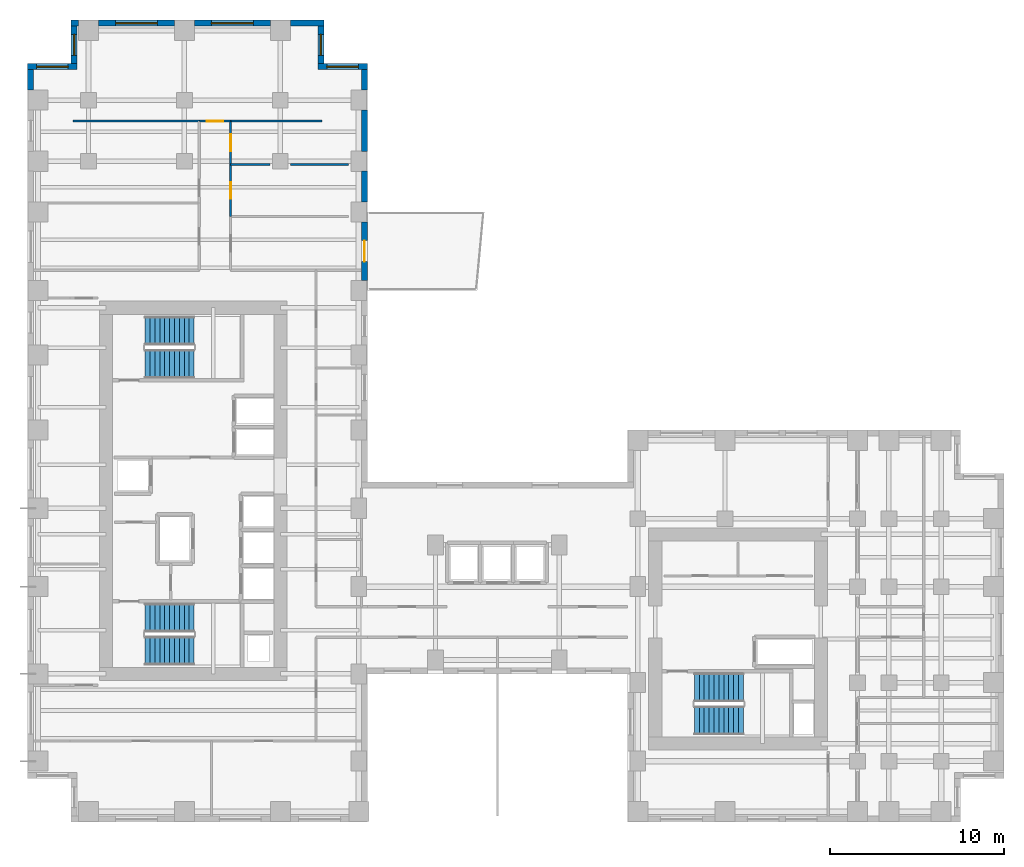
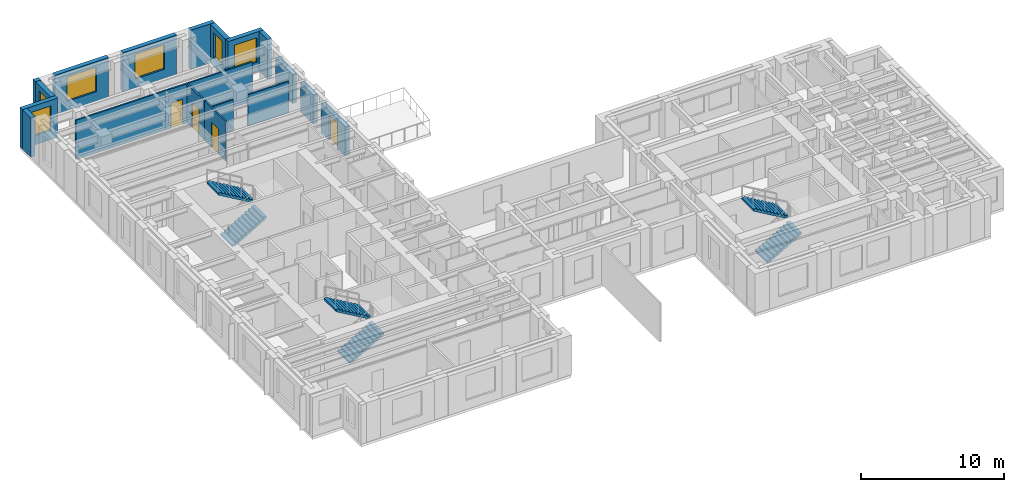
# One storey, part 9 of 11: 20 walls, 6 stair flights, 6 windows, 4 doors, 10 openings, 3 elements without a shape of their own.
"""IFC4 building model written with IfcOpenShell, lengths in metres."""

from ifc_helpers import new_model, si_unit, direction, frame, frame_2d, origin, place, context, subcontext, project, spatial, polyline, rectangle, outline, extrude, source, transform, mapped, material, layer, layer_set, type_object, element, fill, aggregate, save


model = new_model("IFC4")

# Units and contexts
model_context = context("Model", 3, precision=1e-05, world=origin(), true_north=direction((0.0, 1.0)))
body_context = subcontext(model_context, "Body", "Model", "MODEL_VIEW")
ifc_project = project(units=[si_unit("LENGTHUNIT", "METRE"), si_unit("AREAUNIT", "SQUARE_METRE"), si_unit("VOLUMEUNIT", "CUBIC_METRE"), si_unit("PLANEANGLEUNIT", "RADIAN"), si_unit("MASSUNIT", "GRAM", prefix="KILO")], contexts=[model_context])

# Site, building, storey
site_placement = place(None, origin())
site = spatial("IfcSite", under=ifc_project, at=site_placement, CompositionType="ELEMENT")
building_placement = place(site_placement, origin())
building = spatial("IfcBuilding", under=site, at=building_placement, Name="Kharzan Plaza Tower", CompositionType="ELEMENT")
storey_placement = place(building_placement, frame((0.0, 0.0, 127.800048828125)))
storey = spatial("IfcBuildingStorey", under=building, at=storey_placement, Name="L34", CompositionType="ELEMENT", Elevation=127.800048828125)

# Wall, opening, door
ifc_material_1 = material(Name="Concrete C40/50", Category="concrete")
ifc_layer_1 = layer(ifc_material_1, 0.35009765625)
ifc_layer_set_1 = layer_set([ifc_layer_1], Name="Concrete C40/50")
wall_type_1 = type_object("IfcWallType", Name="WL-EXT-MAS-Z2", PredefinedType="SOLIDWALL", material=ifc_layer_set_1)
wall_1_placement = place(storey_placement, frame((19.324951171875, 31.072998046875, 0.0), z_axis=(0.0, 0.0, 1.0), x_axis=(0.0, 1.0, 0.0)))
wall_1 = element("IfcWall", 1, at=wall_1_placement, inside=storey, type_object=wall_type_1, Name="L34 Masonry-Frame Exterior Wall 04", PredefinedType="SOLIDWALL", context=body_context, shape_type="SweptSolid", body=[
    extrude(rectangle(XDim=3.35400390625, YDim=0.35009765625, at=frame_2d((1.677001953125, 0.0))), origin(), (0.0, 0.0, 1.0), 2.51904296875),
])
opening_1_placement = place(wall_1_placement, frame((1.076904296875, 0.0, 0.0)))
opening_1 = element("IfcOpeningElement", 2, at=opening_1_placement, cuts=wall_1, Name="Opening ED3", PredefinedType="OPENING", context=body_context, shape_type="SweptSolid", body=[
    extrude(rectangle(XDim=1.199951171875, YDim=2.14990234375, at=frame_2d((0.60009765625, 1.074951171875))), frame((0.0, 0.18505859375, 0.0), z_axis=(0.0, -1.0, 0.0), x_axis=(1.0, 0.0, 0.0)), (0.0, 0.0, 1.0), 0.3701171875),
])
ifc_material_2 = material(Name="Thermally Broken Anodized Bronze Aluminium", Category="aluminium")
door_type_1 = type_object("IfcDoorType", Name="DR-EXT-TRAY-1200", OperationType="SINGLE_SWING_LEFT", PredefinedType="DOOR", material=ifc_material_2)
shared_shape_1 = source(origin(), body_context, "Body", "SweptSolid", [
    extrude(rectangle(XDim=1.199951171875, YDim=2.14990234375, at=frame_2d((0.60009765625, 1.074951171875))), frame((0.0, 0.02490234375, 0.0), z_axis=(0.0, -1.0, 0.0), x_axis=(1.0, 0.0, 0.0)), (0.0, 0.0, 1.0), 0.050048828125),
])
door_1_placement = place(opening_1_placement, frame((1.199951171875, 0.0, 0.0), z_axis=(0.0, 0.0, 1.0), x_axis=(-1.0, 0.0, 0.0)))
door_1 = element("IfcDoor", 3, at=door_1_placement, inside=storey, type_object=door_type_1, Name="L34 Cantilevered Sky-Terrace Tray Access Door", OperationType="SINGLE_SWING_LEFT", OverallHeight=2.14990234375, OverallWidth=1.199951171875, PredefinedType="DOOR", context=body_context, shape_type="MappedRepresentation", body=[
    mapped(shared_shape_1, transform((0.0, 0.0, 0.0), x_axis=(1.0, 0.0, 0.0), y_axis=(0.0, 1.0, 0.0), z_axis=(0.0, 0.0, 1.0))),
])
fill(opening_1, door_1)

# Wall, opening, window
wall_2_placement = place(storey_placement, frame((19.5, 43.324951171875, 0.0), z_axis=(0.0, 0.0, 1.0), x_axis=(-1.0, 0.0, 0.0)))
wall_2 = element("IfcWall", 4, at=wall_2_placement, inside=storey, type_object=wall_type_1, Name="L34 Masonry-Frame Exterior Wall 08", PredefinedType="SOLIDWALL", context=body_context, shape_type="SweptSolid", body=[
    extrude(rectangle(XDim=2.85009765625, YDim=0.35009765625, at=frame_2d((1.425048828125, 0.0))), origin(), (0.0, 0.0, 1.0), 3.364990234375),
])
opening_2_placement = place(wall_2_placement, frame((0.52490234375, 0.0, 0.780029296875)))
opening_2 = element("IfcOpeningElement", 5, at=opening_2_placement, cuts=wall_2, Name="Opening W1", PredefinedType="OPENING", context=body_context, shape_type="SweptSolid", body=[
    extrude(rectangle(XDim=1.800048828125, YDim=2.10009765625, at=frame_2d((0.89990234375, 1.050048828125))), frame((0.0, 0.18505859375, 0.0), z_axis=(0.0, -1.0, 0.0), x_axis=(1.0, 0.0, 0.0)), (0.0, 0.0, 1.0), 0.3701171875),
])
ifc_material_3 = material(Name="Low-E Double Glazing", Category="glass")
window_type_1 = type_object("IfcWindowType", Name="WN-REC-1800x2100", PartitioningType="SINGLE_PANEL", PredefinedType="WINDOW", material=ifc_material_3)
shared_shape_2 = source(origin(), body_context, "Body", "SweptSolid", [
    extrude(rectangle(XDim=1.800048828125, YDim=2.10009765625, at=frame_2d((0.89990234375, 1.050048828125))), frame((0.0, 0.030029296875, 0.0), z_axis=(0.0, -1.0, 0.0), x_axis=(1.0, 0.0, 0.0)), (0.0, 0.0, 1.0), 0.06005859375),
])
window_1_placement = place(opening_2_placement, origin())
window_1 = element("IfcWindow", 6, at=window_1_placement, inside=storey, type_object=window_type_1, Name="L34 Recessed Solar-Control Window 08-1", OverallHeight=2.10009765625, OverallWidth=1.800048828125, PartitioningType="SINGLE_PANEL", PredefinedType="WINDOW", context=body_context, shape_type="MappedRepresentation", body=[
    mapped(shared_shape_2, transform((0.0, 0.0, 0.0), x_axis=(1.0, 0.0, 0.0), y_axis=(0.0, 1.0, 0.0), z_axis=(0.0, 0.0, 1.0))),
])
fill(opening_2, window_1)

wall_3_placement = place(storey_placement, frame((16.824951171875, 43.498046875, 0.0), z_axis=(0.0, 0.0, 1.0), x_axis=(0.0, 1.0, 0.0)))
wall_3 = element("IfcWall", 7, at=wall_3_placement, inside=storey, type_object=wall_type_1, Name="L34 Masonry-Frame Exterior Wall 09", PredefinedType="SOLIDWALL", context=body_context, shape_type="SweptSolid", body=[
    extrude(rectangle(XDim=2.154052734375, YDim=0.35009765625, at=frame_2d((1.0771484375, 0.0))), origin(), (0.0, 0.0, 1.0), 3.364990234375),
])
opening_3_placement = place(wall_3_placement, frame((0.47705078125, 0.0, 0.780029296875)))
opening_3 = element("IfcOpeningElement", 8, at=opening_3_placement, cuts=wall_3, Name="Opening W3", PredefinedType="OPENING", context=body_context, shape_type="SweptSolid", body=[
    extrude(rectangle(XDim=1.199951171875, YDim=2.10009765625, at=frame_2d((0.60009765625, 1.050048828125))), frame((0.0, 0.18505859375, 0.0), z_axis=(0.0, -1.0, 0.0), x_axis=(1.0, 0.0, 0.0)), (0.0, 0.0, 1.0), 0.3701171875),
])
window_type_2 = type_object("IfcWindowType", Name="WN-REC-1200x2100", PartitioningType="SINGLE_PANEL", PredefinedType="WINDOW", material=ifc_material_3)
shared_shape_3 = source(origin(), body_context, "Body", "SweptSolid", [
    extrude(rectangle(XDim=1.199951171875, YDim=2.10009765625, at=frame_2d((0.60009765625, 1.050048828125))), frame((0.0, 0.030029296875, 0.0), z_axis=(0.0, -1.0, 0.0), x_axis=(1.0, 0.0, 0.0)), (0.0, 0.0, 1.0), 0.06005859375),
])
window_2_placement = place(opening_3_placement, origin())
window_2 = element("IfcWindow", 9, at=window_2_placement, inside=storey, type_object=window_type_2, Name="L34 Recessed Solar-Control Window 09-1", OverallHeight=2.10009765625, OverallWidth=1.199951171875, PartitioningType="SINGLE_PANEL", PredefinedType="WINDOW", context=body_context, shape_type="MappedRepresentation", body=[
    mapped(shared_shape_3, transform((0.0, 0.0, 0.0), x_axis=(1.0, 0.0, 0.0), y_axis=(0.0, 1.0, 0.0), z_axis=(0.0, 0.0, 1.0))),
])
fill(opening_3, window_2)

wall_4_placement = place(storey_placement, frame((13.927001953125, 45.824951171875, 0.0), z_axis=(0.0, 0.0, 1.0), x_axis=(-1.0, 0.0, 0.0)))
wall_4 = element("IfcWall", 10, at=wall_4_placement, inside=storey, type_object=wall_type_1, Name="L34 Masonry-Frame Exterior Wall 11", PredefinedType="SOLIDWALL", context=body_context, shape_type="SweptSolid", body=[
    extrude(rectangle(XDim=4.35400390625, YDim=0.35009765625, at=frame_2d((2.177001953125, 0.0))), origin(), (0.0, 0.0, 1.0), 3.364990234375),
])
opening_4_placement = place(wall_4_placement, frame((0.97705078125, 0.0, 0.780029296875)))
opening_4 = element("IfcOpeningElement", 11, at=opening_4_placement, cuts=wall_4, Name="Opening W2", PredefinedType="OPENING", context=body_context, shape_type="SweptSolid", body=[
    extrude(rectangle(XDim=2.39990234375, YDim=2.10009765625, at=frame_2d((1.199951171875, 1.050048828125))), frame((0.0, 0.18505859375, 0.0), z_axis=(0.0, -1.0, 0.0), x_axis=(1.0, 0.0, 0.0)), (0.0, 0.0, 1.0), 0.3701171875),
])
window_type_3 = type_object("IfcWindowType", Name="WN-REC-2400x2100", PartitioningType="SINGLE_PANEL", PredefinedType="WINDOW", material=ifc_material_3)
shared_shape_4 = source(origin(), body_context, "Body", "SweptSolid", [
    extrude(rectangle(XDim=2.39990234375, YDim=2.10009765625, at=frame_2d((1.199951171875, 1.050048828125))), frame((0.0, 0.030029296875, 0.0), z_axis=(0.0, -1.0, 0.0), x_axis=(1.0, 0.0, 0.0)), (0.0, 0.0, 1.0), 0.06005859375),
])
window_3_placement = place(opening_4_placement, origin())
window_3 = element("IfcWindow", 12, at=window_3_placement, inside=storey, type_object=window_type_3, Name="L34 Wide Recessed Solar-Control Window 11-1", OverallHeight=2.10009765625, OverallWidth=2.39990234375, PartitioningType="SINGLE_PANEL", PredefinedType="WINDOW", context=body_context, shape_type="MappedRepresentation", body=[
    mapped(shared_shape_4, transform((0.0, 0.0, 0.0), x_axis=(1.0, 0.0, 0.0), y_axis=(0.0, 1.0, 0.0), z_axis=(0.0, 0.0, 1.0))),
])
fill(opening_4, window_3)

wall_5_placement = place(storey_placement, frame((8.427001953125, 45.824951171875, 0.0), z_axis=(0.0, 0.0, 1.0), x_axis=(-1.0, 0.0, 0.0)))
wall_5 = element("IfcWall", 13, at=wall_5_placement, inside=storey, type_object=wall_type_1, Name="L34 Masonry-Frame Exterior Wall 12", PredefinedType="SOLIDWALL", context=body_context, shape_type="SweptSolid", body=[
    extrude(rectangle(XDim=4.35400390625, YDim=0.35009765625, at=frame_2d((2.177001953125, 0.0))), origin(), (0.0, 0.0, 1.0), 3.364990234375),
])
opening_5_placement = place(wall_5_placement, frame((0.97705078125, 0.0, 0.780029296875)))
opening_5 = element("IfcOpeningElement", 14, at=opening_5_placement, cuts=wall_5, Name="Opening W2", PredefinedType="OPENING", context=body_context, shape_type="SweptSolid", body=[
    extrude(rectangle(XDim=2.39990234375, YDim=2.10009765625, at=frame_2d((1.199951171875, 1.050048828125))), frame((0.0, 0.18505859375, 0.0), z_axis=(0.0, -1.0, 0.0), x_axis=(1.0, 0.0, 0.0)), (0.0, 0.0, 1.0), 0.3701171875),
])
window_4_placement = place(opening_5_placement, origin())
window_4 = element("IfcWindow", 15, at=window_4_placement, inside=storey, type_object=window_type_3, Name="L34 Wide Recessed Solar-Control Window 12-1", OverallHeight=2.10009765625, OverallWidth=2.39990234375, PartitioningType="SINGLE_PANEL", PredefinedType="WINDOW", context=body_context, shape_type="MappedRepresentation", body=[
    mapped(shared_shape_4, transform((0.0, 0.0, 0.0), x_axis=(1.0, 0.0, 0.0), y_axis=(0.0, 1.0, 0.0), z_axis=(0.0, 0.0, 1.0))),
])
fill(opening_5, window_4)

wall_6_placement = place(storey_placement, frame((2.675048828125, 45.652099609375, 0.0), z_axis=(0.0, 0.0, 1.0), x_axis=(0.0, -1.0, 0.0)))
wall_6 = element("IfcWall", 16, at=wall_6_placement, inside=storey, type_object=wall_type_1, Name="L34 Masonry-Frame Exterior Wall 14", PredefinedType="SOLIDWALL", context=body_context, shape_type="SweptSolid", body=[
    extrude(rectangle(XDim=2.154052734375, YDim=0.35009765625, at=frame_2d((1.0771484375, 0.0))), origin(), (0.0, 0.0, 1.0), 3.364990234375),
])
opening_6_placement = place(wall_6_placement, frame((0.47705078125, 0.0, 0.780029296875)))
opening_6 = element("IfcOpeningElement", 17, at=opening_6_placement, cuts=wall_6, Name="Opening W3", PredefinedType="OPENING", context=body_context, shape_type="SweptSolid", body=[
    extrude(rectangle(XDim=1.199951171875, YDim=2.10009765625, at=frame_2d((0.60009765625, 1.050048828125))), frame((0.0, 0.18505859375, 0.0), z_axis=(0.0, -1.0, 0.0), x_axis=(1.0, 0.0, 0.0)), (0.0, 0.0, 1.0), 0.3701171875),
])
window_5_placement = place(opening_6_placement, origin())
window_5 = element("IfcWindow", 18, at=window_5_placement, inside=storey, type_object=window_type_2, Name="L34 Recessed Solar-Control Window 14-1", OverallHeight=2.10009765625, OverallWidth=1.199951171875, PartitioningType="SINGLE_PANEL", PredefinedType="WINDOW", context=body_context, shape_type="MappedRepresentation", body=[
    mapped(shared_shape_3, transform((0.0, 0.0, 0.0), x_axis=(1.0, 0.0, 0.0), y_axis=(0.0, 1.0, 0.0), z_axis=(0.0, 0.0, 1.0))),
])
fill(opening_6, window_5)

wall_7_placement = place(storey_placement, frame((2.85009765625, 43.324951171875, 0.0), z_axis=(0.0, 0.0, 1.0), x_axis=(-1.0, 0.0, 0.0)))
wall_7 = element("IfcWall", 19, at=wall_7_placement, inside=storey, type_object=wall_type_1, Name="L34 Masonry-Frame Exterior Wall 15", PredefinedType="SOLIDWALL", context=body_context, shape_type="SweptSolid", body=[
    extrude(rectangle(XDim=2.85009765625, YDim=0.35009765625, at=frame_2d((1.425048828125, 0.0))), origin(), (0.0, 0.0, 1.0), 3.364990234375),
])
opening_7_placement = place(wall_7_placement, frame((0.52490234375, 0.0, 0.780029296875)))
opening_7 = element("IfcOpeningElement", 20, at=opening_7_placement, cuts=wall_7, Name="Opening W1", PredefinedType="OPENING", context=body_context, shape_type="SweptSolid", body=[
    extrude(rectangle(XDim=1.800048828125, YDim=2.10009765625, at=frame_2d((0.89990234375, 1.050048828125))), frame((0.0, 0.18505859375, 0.0), z_axis=(0.0, -1.0, 0.0), x_axis=(1.0, 0.0, 0.0)), (0.0, 0.0, 1.0), 0.3701171875),
])
window_6_placement = place(opening_7_placement, origin())
window_6 = element("IfcWindow", 21, at=window_6_placement, inside=storey, type_object=window_type_1, Name="L34 Recessed Solar-Control Window 15-1", OverallHeight=2.10009765625, OverallWidth=1.800048828125, PartitioningType="SINGLE_PANEL", PredefinedType="WINDOW", context=body_context, shape_type="MappedRepresentation", body=[
    mapped(shared_shape_2, transform((0.0, 0.0, 0.0), x_axis=(1.0, 0.0, 0.0), y_axis=(0.0, 1.0, 0.0), z_axis=(0.0, 0.0, 1.0))),
])
fill(opening_7, window_6)

# Wall, opening, door
ifc_material_4 = material(Name="Fire-Rated Gypsum Board Partition", Category="gypsum")
ifc_layer_2 = layer(ifc_material_4, 0.125)
ifc_layer_set_2 = layer_set([ifc_layer_2], Name="Fire-Rated Gypsum Board Partition")
wall_type_2 = type_object("IfcWallType", Name="WL-INT-PART-125", PredefinedType="PARTITIONING", material=ifc_layer_set_2)
wall_8_placement = place(storey_placement, frame((11.64990234375, 34.72802734375, 0.0), z_axis=(0.0, 0.0, 1.0), x_axis=(0.0, 1.0, 0.0)))
wall_8 = element("IfcWall", 22, at=wall_8_placement, inside=storey, type_object=wall_type_2, Name="L34 Interior Partition SH-SPE-2", PredefinedType="PARTITIONING", context=body_context, shape_type="SweptSolid", body=[
    extrude(rectangle(XDim=2.992919921875, YDim=0.125, at=frame_2d((1.49658203125, 0.0))), origin(), (0.0, 0.0, 1.0), 3.364990234375),
])
opening_8_placement = place(wall_8_placement, frame((1.021484375, 0.0, 0.0)))
opening_8 = element("IfcOpeningElement", 23, at=opening_8_placement, cuts=wall_8, Name="Opening OD1", PredefinedType="OPENING", context=body_context, shape_type="SweptSolid", body=[
    extrude(rectangle(XDim=0.949951171875, YDim=2.14990234375, at=frame_2d((0.47509765625, 1.074951171875))), frame((0.0, 0.072509765625, 0.0), z_axis=(0.0, -1.0, 0.0), x_axis=(1.0, 0.0, 0.0)), (0.0, 0.0, 1.0), 0.14501953125),
])
ifc_material_5 = material(Name="Acoustic Solid-Core Stained Oak", Category="timber")
door_type_2 = type_object("IfcDoorType", Name="DR-OFF-SINGLE", OperationType="NOTDEFINED", PredefinedType="DOOR", material=ifc_material_5)
shared_shape_5 = source(origin(), body_context, "Body", "SweptSolid", [
    extrude(rectangle(XDim=0.949951171875, YDim=2.14990234375, at=frame_2d((0.47509765625, 1.074951171875))), frame((0.0, 0.02490234375, 0.0), z_axis=(0.0, -1.0, 0.0), x_axis=(1.0, 0.0, 0.0)), (0.0, 0.0, 1.0), 0.050048828125),
])
door_2_placement = place(opening_8_placement, origin())
door_2 = element("IfcDoor", 24, at=door_2_placement, inside=storey, type_object=door_type_2, Name="L34 Maritime Simulation Studio Door", OperationType="SINGLE_SWING_LEFT", OverallHeight=2.14990234375, OverallWidth=0.949951171875, PredefinedType="DOOR", context=body_context, shape_type="MappedRepresentation", body=[
    mapped(shared_shape_5, transform((0.0, 0.0, 0.0), x_axis=(1.0, 0.0, 0.0), y_axis=(0.0, 1.0, 0.0), z_axis=(0.0, 0.0, 1.0))),
])
fill(opening_8, door_2)

wall_9_placement = place(storey_placement, frame((11.64990234375, 37.720947265625, 0.0), z_axis=(0.0, 0.0, 1.0), x_axis=(0.0, 1.0, 0.0)))
wall_9 = element("IfcWall", 25, at=wall_9_placement, inside=storey, type_object=wall_type_2, Name="L34 Interior Partition SH-SPE-3", PredefinedType="PARTITIONING", context=body_context, shape_type="SweptSolid", body=[
    extrude(rectangle(XDim=2.47900390625, YDim=0.125, at=frame_2d((1.239501953125, 0.0))), origin(), (0.0, 0.0, 1.0), 3.364990234375),
])
opening_9_placement = place(wall_9_placement, frame((0.764404296875, 0.0, 0.0)))
opening_9 = element("IfcOpeningElement", 26, at=opening_9_placement, cuts=wall_9, Name="Opening OD1", PredefinedType="OPENING", context=body_context, shape_type="SweptSolid", body=[
    extrude(rectangle(XDim=0.949951171875, YDim=2.14990234375, at=frame_2d((0.47509765625, 1.074951171875))), frame((0.0, 0.072509765625, 0.0), z_axis=(0.0, -1.0, 0.0), x_axis=(1.0, 0.0, 0.0)), (0.0, 0.0, 1.0), 0.14501953125),
])
door_3_placement = place(opening_9_placement, origin())
door_3 = element("IfcDoor", 27, at=door_3_placement, inside=storey, type_object=door_type_2, Name="L34 Maritime Simulation Studio Door", OperationType="SINGLE_SWING_RIGHT", OverallHeight=2.14990234375, OverallWidth=0.949951171875, PredefinedType="DOOR", context=body_context, shape_type="MappedRepresentation", body=[
    mapped(shared_shape_5, transform((0.0, 0.0, 0.0), x_axis=(1.0, 0.0, 0.0), y_axis=(0.0, 1.0, 0.0), z_axis=(0.0, 0.0, 1.0))),
])
fill(opening_9, door_3)

wall_10_placement = place(storey_placement, frame((9.85009765625, 40.199951171875, 0.0), z_axis=(0.0, 0.0, 1.0), x_axis=(1.0, 0.0, 0.0)))
wall_10 = element("IfcWall", 28, at=wall_10_placement, inside=storey, type_object=wall_type_2, Name="L34 Interior Partition SH-SPHD", PredefinedType="PARTITIONING", context=body_context, shape_type="SweptSolid", body=[
    extrude(rectangle(XDim=1.7998046875, YDim=0.125, at=frame_2d((0.89990234375, 0.0))), origin(), (0.0, 0.0, 1.0), 3.364990234375),
])
opening_10_placement = place(wall_10_placement, frame((0.425048828125, 0.0, 0.0)))
opening_10 = element("IfcOpeningElement", 29, at=opening_10_placement, cuts=wall_10, Name="Opening OD1", PredefinedType="OPENING", context=body_context, shape_type="SweptSolid", body=[
    extrude(rectangle(XDim=0.949951171875, YDim=2.14990234375, at=frame_2d((0.47509765625, 1.074951171875))), frame((0.0, 0.072509765625, 0.0), z_axis=(0.0, -1.0, 0.0), x_axis=(1.0, 0.0, 0.0)), (0.0, 0.0, 1.0), 0.14501953125),
])
door_4_placement = place(opening_10_placement, origin())
door_4 = element("IfcDoor", 30, at=door_4_placement, inside=storey, type_object=door_type_2, Name="L34 North Boardroom Door", OperationType="SINGLE_SWING_LEFT", OverallHeight=2.14990234375, OverallWidth=0.949951171875, PredefinedType="DOOR", context=body_context, shape_type="MappedRepresentation", body=[
    mapped(shared_shape_5, transform((0.0, 0.0, 0.0), x_axis=(1.0, 0.0, 0.0), y_axis=(0.0, 1.0, 0.0), z_axis=(0.0, 0.0, 1.0))),
])
fill(opening_10, door_4)

# Walls
shared_shape_6 = source(origin(), body_context, "Body", "SweptSolid", [
    extrude(rectangle(XDim=5.25, YDim=0.125, at=frame_2d((2.625, 0.0))), origin(), (0.0, 0.0, 1.0), 3.364990234375),
])
wall_11_placement = place(storey_placement, frame((11.64990234375, 40.199951171875, 0.0), z_axis=(0.0, 0.0, 1.0), x_axis=(1.0, 0.0, 0.0)))
element("IfcWall", 31, at=wall_11_placement, inside=storey, type_object=wall_type_2, Name="L34 Interior Partition SH-SPHE", PredefinedType="PARTITIONING", context=body_context, shape_type="MappedRepresentation", body=[
    mapped(shared_shape_6, transform((0.0, 0.0, 0.0), x_axis=(1.0, 0.0, 0.0), y_axis=(0.0, 1.0, 0.0), z_axis=(0.0, 0.0, 1.0))),
])
shared_shape_7 = source(origin(), body_context, "Body", "SweptSolid", [
    extrude(rectangle(XDim=7.25, YDim=0.125, at=frame_2d((3.625, 0.0))), origin(), (0.0, 0.0, 1.0), 3.364990234375),
])
wall_12_placement = place(storey_placement, frame((2.60009765625, 40.199951171875, 0.0), z_axis=(0.0, 0.0, 1.0), x_axis=(1.0, 0.0, 0.0)))
element("IfcWall", 32, at=wall_12_placement, inside=storey, type_object=wall_type_2, Name="L34 Interior Partition SH-SPHW", PredefinedType="PARTITIONING", context=body_context, shape_type="MappedRepresentation", body=[
    mapped(shared_shape_7, transform((0.0, 0.0, 0.0), x_axis=(1.0, 0.0, 0.0), y_axis=(0.0, 1.0, 0.0), z_axis=(0.0, 0.0, 1.0))),
])
shared_shape_8 = source(origin(), body_context, "Body", "SweptSolid", [
    extrude(rectangle(XDim=1.927001953125, YDim=0.35009765625, at=frame_2d((0.96337890625, 0.0))), origin(), (0.0, 0.0, 1.0), 3.364990234375),
])
wall_13_placement = place(storey_placement, frame((17.0, 45.824951171875, 0.0), z_axis=(0.0, 0.0, 1.0), x_axis=(-1.0, 0.0, 0.0)))
element("IfcWall", 33, at=wall_13_placement, inside=storey, type_object=wall_type_1, Name="L34 Masonry-Frame Exterior Wall 10", PredefinedType="SOLIDWALL", context=body_context, shape_type="MappedRepresentation", body=[
    mapped(shared_shape_8, transform((0.0, 0.0, 0.0), x_axis=(1.0, 0.0, 0.0), y_axis=(0.0, 1.0, 0.0), z_axis=(0.0, 0.0, 1.0))),
])
shared_shape_9 = source(origin(), body_context, "Body", "SweptSolid", [
    extrude(rectangle(XDim=0.427001953125, YDim=0.35009765625, at=frame_2d((0.21337890625, 0.0))), origin(), (0.0, 0.0, 1.0), 3.364990234375),
])
wall_14_placement = place(storey_placement, frame((2.927001953125, 45.824951171875, 0.0), z_axis=(0.0, 0.0, 1.0), x_axis=(-1.0, 0.0, 0.0)))
element("IfcWall", 34, at=wall_14_placement, inside=storey, type_object=wall_type_1, Name="L34 Masonry-Frame Exterior Wall 13", PredefinedType="SOLIDWALL", context=body_context, shape_type="MappedRepresentation", body=[
    mapped(shared_shape_9, transform((0.0, 0.0, 0.0), x_axis=(1.0, 0.0, 0.0), y_axis=(0.0, 1.0, 0.0), z_axis=(0.0, 0.0, 1.0))),
])
shared_shape_10 = source(origin(), body_context, "Body", "SweptSolid", [
    extrude(rectangle(XDim=1.17919921875, YDim=0.35009765625, at=frame_2d((0.589599609375, 0.0))), origin(), (0.0, 0.0, 1.0), 3.364990234375),
])
for number, where, z_axis, x_axis, name in (
    (35, (19.324951171875, 41.972900390625, 0.0), (0.0, 0.0, 1.0), (0.0, 1.0, 0.0), "L34 Masonry-Frame Exterior Wall 07"),
    (36, (0.175048828125, 43.152099609375, 0.0), (0.0, 0.0, 1.0), (0.0, -1.0, 0.0), "L34 Masonry-Frame Exterior Wall 16"),
):
    element("IfcWall", number, at=place(storey_placement, frame(where, z_axis=z_axis, x_axis=x_axis)), inside=storey, type_object=wall_type_1, Name=name, PredefinedType="SOLIDWALL", context=body_context, shape_type="MappedRepresentation", body=[
        mapped(shared_shape_10, transform((0.0, 0.0, 0.0), x_axis=(1.0, 0.0, 0.0), y_axis=(0.0, 1.0, 0.0), z_axis=(0.0, 0.0, 1.0))),
    ])
shared_shape_11 = source(origin(), body_context, "Body", "SweptSolid", [
    extrude(rectangle(XDim=1.75390625, YDim=0.35009765625, at=frame_2d((0.876953125, 0.0))), origin(), (0.0, 0.0, 1.0), 2.51904296875),
])
wall_15_placement = place(storey_placement, frame((19.324951171875, 35.572998046875, 0.0), z_axis=(0.0, 0.0, 1.0), x_axis=(0.0, 1.0, 0.0)))
element("IfcWall", 37, at=wall_15_placement, inside=storey, type_object=wall_type_1, Name="L34 Masonry-Frame Exterior Wall 05", PredefinedType="SOLIDWALL", context=body_context, shape_type="MappedRepresentation", body=[
    mapped(shared_shape_11, transform((0.0, 0.0, 0.0), x_axis=(1.0, 0.0, 0.0), y_axis=(0.0, 1.0, 0.0), z_axis=(0.0, 0.0, 1.0))),
])
shared_shape_12 = source(origin(), body_context, "Body", "SweptSolid", [
    extrude(rectangle(XDim=2.35400390625, YDim=0.35009765625, at=frame_2d((1.177001953125, 0.0))), origin(), (0.0, 0.0, 1.0), 2.51904296875),
])
wall_16_placement = place(storey_placement, frame((19.324951171875, 38.472900390625, 0.0), z_axis=(0.0, 0.0, 1.0), x_axis=(0.0, 1.0, 0.0)))
element("IfcWall", 38, at=wall_16_placement, inside=storey, type_object=wall_type_1, Name="L34 Masonry-Frame Exterior Wall 06", PredefinedType="SOLIDWALL", context=body_context, shape_type="MappedRepresentation", body=[
    mapped(shared_shape_12, transform((0.0, 0.0, 0.0), x_axis=(1.0, 0.0, 0.0), y_axis=(0.0, 1.0, 0.0), z_axis=(0.0, 0.0, 1.0))),
])
shared_shape_13 = source(origin(), body_context, "Body", "SweptSolid", [
    extrude(rectangle(XDim=3.31982421875, YDim=0.125, at=frame_2d((1.659912109375, 0.0))), origin(), (0.0, 0.0, 1.0), 2.677001953125),
])
wall_17_placement = place(storey_placement, frame((15.090087890625, 37.720947265625, 0.0), z_axis=(0.0, 0.0, 1.0), x_axis=(1.0, 0.0, 0.0)))
element("IfcWall", 39, at=wall_17_placement, inside=storey, type_object=wall_type_2, Name="L34 Interior Partition SH-NEH-2-S2", PredefinedType="PARTITIONING", context=body_context, shape_type="MappedRepresentation", body=[
    mapped(shared_shape_13, transform((0.0, 0.0, 0.0), x_axis=(1.0, 0.0, 0.0), y_axis=(0.0, 1.0, 0.0), z_axis=(0.0, 0.0, 1.0))),
])
shared_shape_14 = source(origin(), body_context, "Body", "SweptSolid", [
    extrude(rectangle(XDim=2.260009765625, YDim=0.125, at=frame_2d((1.1298828125, 0.0))), origin(), (0.0, 0.0, 1.0), 2.677001953125),
])
wall_18_placement = place(storey_placement, frame((11.64990234375, 37.720947265625, 0.0), z_axis=(0.0, 0.0, 1.0), x_axis=(1.0, 0.0, 0.0)))
element("IfcWall", 40, at=wall_18_placement, inside=storey, type_object=wall_type_2, Name="L34 Interior Partition SH-NEH-2-S1", PredefinedType="PARTITIONING", context=body_context, shape_type="MappedRepresentation", body=[
    mapped(shared_shape_14, transform((0.0, 0.0, 0.0), x_axis=(1.0, 0.0, 0.0), y_axis=(0.0, 1.0, 0.0), z_axis=(0.0, 0.0, 1.0))),
])

# Stair, stair flights
stair_type_1 = type_object("IfcStairType", Name="STR-ST-1", PredefinedType="HALF_TURN_STAIR", material=ifc_material_1)
stair_1_placement = place(storey_placement, origin())
stair_1 = element("IfcStair", 41, at=stair_1_placement, inside=storey, type_object=stair_type_1, Name="L34 Protected Exit Stair ST-1", PredefinedType="HALF_TURN_STAIR")
stair_flight_type = type_object("IfcStairFlightType", Name="SFL-1650-R173", PredefinedType="STRAIGHT", material=ifc_material_1)
shared_shape_15 = source(origin(), body_context, "Body", "SweptSolid", [
    extrude(outline(polyline([(-0.0029296875, -0.011962890625), (-0.0029296875, 0.0), (0.0, 0.0), (0.0, 0.16357421875), (0.280029296875, 0.16357421875), (0.280029296875, 0.3271484375), (0.56005859375, 0.3271484375), (0.56005859375, 0.49072265625), (0.840087890625, 0.49072265625), (0.840087890625, 0.654296875), (1.1201171875, 0.654296875), (1.1201171875, 0.81787109375), (1.400146484375, 0.81787109375), (1.400146484375, 0.9814453125), (1.68017578125, 0.9814453125), (1.68017578125, 1.14501953125), (1.960205078125, 1.14501953125), (1.960205078125, 1.30859375), (2.240234375, 1.30859375), (2.240234375, 1.47216796875), (2.520263671875, 1.47216796875), (2.520263671875, 1.6357421875), (2.80029296875, 1.6357421875), (2.80029296875, 1.79931640625), (2.80029296875, 1.462158203125), (0.297119140625, 0.0), (0.297119140625, -0.011962890625), (-0.0029296875, -0.011962890625)])), frame((0.0, 0.824951171875, 0.0), z_axis=(0.0, -1.0, 0.0), x_axis=(1.0, 0.0, 0.0)), (0.0, 0.0, 1.0), 1.64990234375),
])
stair_flight_1_placement = place(storey_placement, frame((6.75, 9.824951171875, 0.0), z_axis=(0.0, 0.0, 1.0), x_axis=(1.0, 0.0, 0.0)))
stair_flight_1 = element("IfcStairFlight", 42, at=stair_flight_1_placement, type_object=stair_flight_type, Name="ST-1 flight 1", NumberOfRisers=11, NumberOfTreads=10, PredefinedType="STRAIGHT", RiserHeight=0.163636364, TreadLength=0.28, context=body_context, shape_type="MappedRepresentation", body=[
    mapped(shared_shape_15, transform((0.0, 0.0, 0.0), x_axis=(1.0, 0.0, 0.0), y_axis=(0.0, 1.0, 0.0), z_axis=(0.0, 0.0, 1.0))),
])
stair_flight_2_placement = place(storey_placement, frame((9.550048828125, 11.72509765625, 1.800048828125), z_axis=(0.0, 0.0, 1.0), x_axis=(-1.0, 0.0, 0.0)))
stair_flight_2 = element("IfcStairFlight", 43, at=stair_flight_2_placement, type_object=stair_flight_type, Name="ST-1 flight 2", NumberOfRisers=11, NumberOfTreads=10, PredefinedType="STRAIGHT", RiserHeight=0.163636364, TreadLength=0.28, context=body_context, shape_type="MappedRepresentation", body=[
    mapped(shared_shape_15, transform((0.0, 0.0, 0.0), x_axis=(1.0, 0.0, 0.0), y_axis=(0.0, 1.0, 0.0), z_axis=(0.0, 0.0, 1.0))),
])
aggregate(stair_1, [stair_flight_1, stair_flight_2])

stair_type_2 = type_object("IfcStairType", Name="STR-ST-2", PredefinedType="HALF_TURN_STAIR", material=ifc_material_1)
stair_2_placement = place(storey_placement, origin())
stair_2 = element("IfcStair", 44, at=stair_2_placement, inside=storey, type_object=stair_type_2, Name="L34 Protected Exit Stair ST-2", PredefinedType="HALF_TURN_STAIR")
stair_flight_3_placement = place(storey_placement, frame((6.75, 26.27490234375, 0.0), z_axis=(0.0, 0.0, 1.0), x_axis=(1.0, 0.0, 0.0)))
stair_flight_3 = element("IfcStairFlight", 45, at=stair_flight_3_placement, type_object=stair_flight_type, Name="ST-2 flight 1", NumberOfRisers=11, NumberOfTreads=10, PredefinedType="STRAIGHT", RiserHeight=0.163636364, TreadLength=0.28, context=body_context, shape_type="MappedRepresentation", body=[
    mapped(shared_shape_15, transform((0.0, 0.0, 0.0), x_axis=(1.0, 0.0, 0.0), y_axis=(0.0, 1.0, 0.0), z_axis=(0.0, 0.0, 1.0))),
])
stair_flight_4_placement = place(storey_placement, frame((9.550048828125, 28.175048828125, 1.800048828125), z_axis=(0.0, 0.0, 1.0), x_axis=(-1.0, 0.0, 0.0)))
stair_flight_4 = element("IfcStairFlight", 46, at=stair_flight_4_placement, type_object=stair_flight_type, Name="ST-2 flight 2", NumberOfRisers=11, NumberOfTreads=10, PredefinedType="STRAIGHT", RiserHeight=0.163636364, TreadLength=0.28, context=body_context, shape_type="MappedRepresentation", body=[
    mapped(shared_shape_15, transform((0.0, 0.0, 0.0), x_axis=(1.0, 0.0, 0.0), y_axis=(0.0, 1.0, 0.0), z_axis=(0.0, 0.0, 1.0))),
])
aggregate(stair_2, [stair_flight_3, stair_flight_4])

stair_type_3 = type_object("IfcStairType", Name="STR-ST-3", PredefinedType="HALF_TURN_STAIR", material=ifc_material_1)
stair_3_placement = place(storey_placement, origin())
stair_3 = element("IfcStair", 47, at=stair_3_placement, inside=storey, type_object=stair_type_3, Name="L34 Protected Exit Stair ST-3", PredefinedType="HALF_TURN_STAIR")
stair_flight_5_placement = place(storey_placement, frame((38.25, 5.824951171875, 0.0), z_axis=(0.0, 0.0, 1.0), x_axis=(1.0, 0.0, 0.0)))
stair_flight_5 = element("IfcStairFlight", 48, at=stair_flight_5_placement, type_object=stair_flight_type, Name="ST-3 flight 1", NumberOfRisers=11, NumberOfTreads=10, PredefinedType="STRAIGHT", RiserHeight=0.163636364, TreadLength=0.28, context=body_context, shape_type="MappedRepresentation", body=[
    mapped(shared_shape_15, transform((0.0, 0.0, 0.0), x_axis=(1.0, 0.0, 0.0), y_axis=(0.0, 1.0, 0.0), z_axis=(0.0, 0.0, 1.0))),
])
stair_flight_6_placement = place(storey_placement, frame((41.050048828125, 7.72509765625, 1.800048828125), z_axis=(0.0, 0.0, 1.0), x_axis=(-1.0, 0.0, 0.0)))
stair_flight_6 = element("IfcStairFlight", 49, at=stair_flight_6_placement, type_object=stair_flight_type, Name="ST-3 flight 2", NumberOfRisers=11, NumberOfTreads=10, PredefinedType="STRAIGHT", RiserHeight=0.163636364, TreadLength=0.28, context=body_context, shape_type="MappedRepresentation", body=[
    mapped(shared_shape_15, transform((0.0, 0.0, 0.0), x_axis=(1.0, 0.0, 0.0), y_axis=(0.0, 1.0, 0.0), z_axis=(0.0, 0.0, 1.0))),
])
aggregate(stair_3, [stair_flight_5, stair_flight_6])

save(model, "model.ifc")
